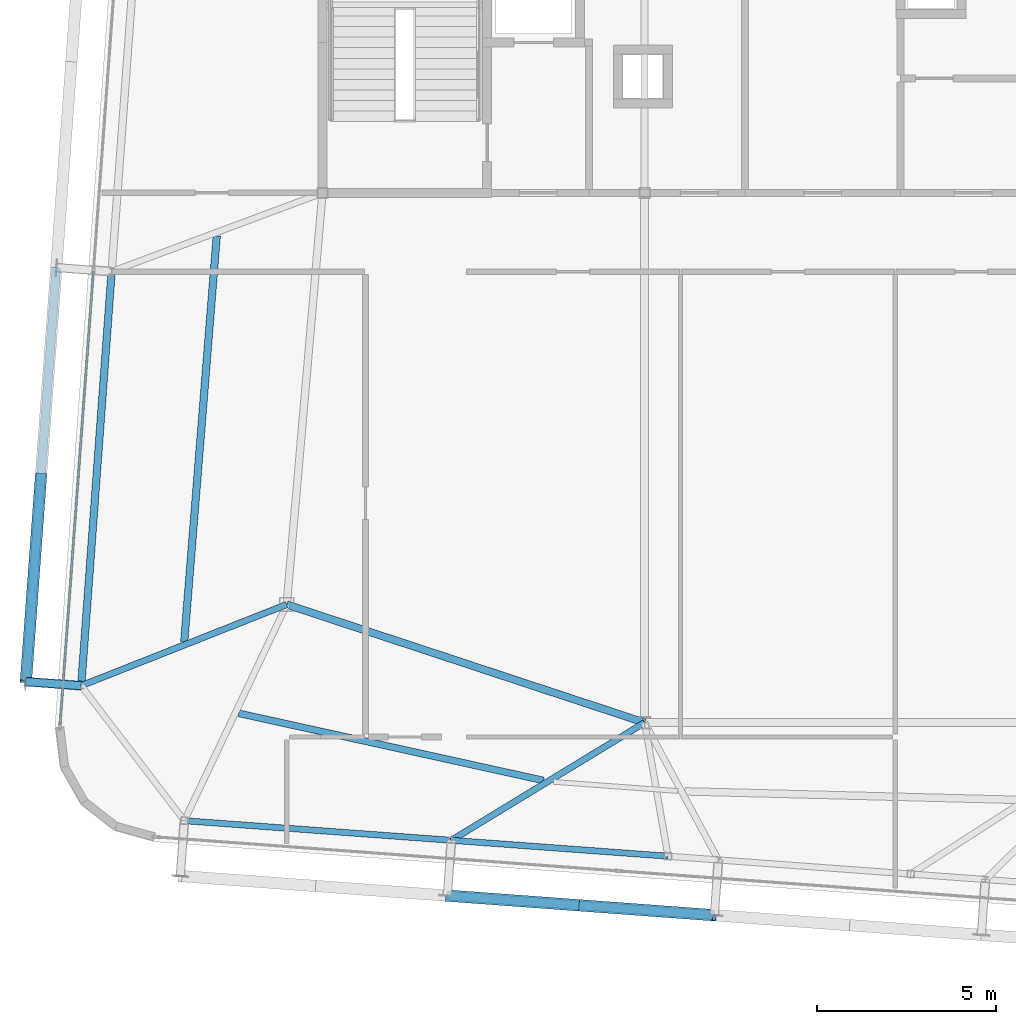
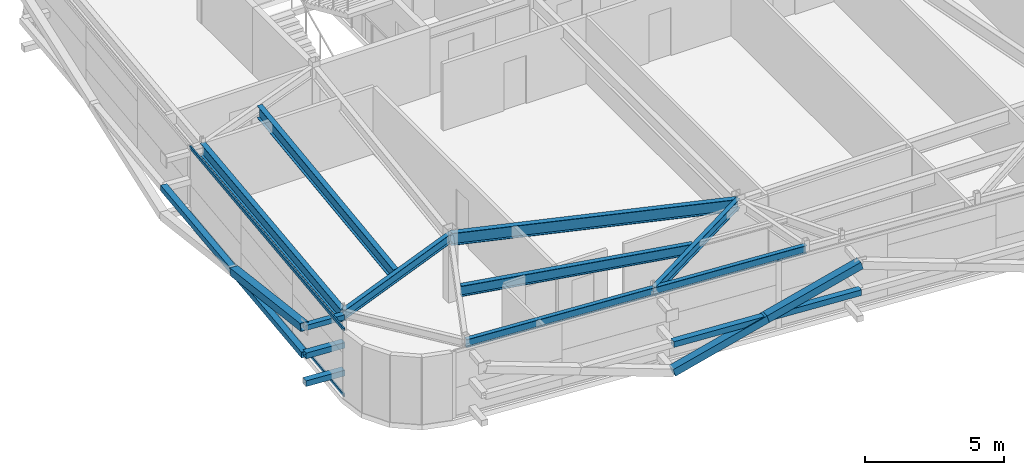
# One storey, part 10 of 34: 10 members, 8 beams, 1 element without a shape of its own.
"""IFC4 building model written with IfcOpenShell, lengths in metres."""

import ifcopenshell
import ifcopenshell.guid

model = None  # the IFC model being written
_history = None  # IfcOwnerHistory: only IFC2X3 demands one
_inside = {}  # id of a spatial element -> (the spatial element, [elements in it])
_under = {}  # id of a project, library or spatial element -> (it, [spatial elements below it])
_declared = {}  # id of a project -> (the project, [libraries it declares])
_typed = {}  # id of a type object -> (the type object, [elements of that type])
_made_of = {}  # id of a material, layer set ... -> (it, [elements and type objects made of it])


def new_model(schema):
    """Start an empty IFC model of exactly this schema.

    Asked for "IFC4X3", IfcOpenShell would pick the latest addendum, in which some entities
    have other attributes; the version numbers below select the first issue.
    IFC2X3 requires an IfcOwnerHistory on every rooted entity: one is made here for all.
    """
    global model, _history
    if schema == "IFC4X3":
        model = ifcopenshell.file(schema_version=(4, 3, 0, 0))
    else:
        model = ifcopenshell.file(schema=schema)
    _inside.clear()
    _under.clear()
    _declared.clear()
    _typed.clear()
    _made_of.clear()
    _history = None
    if model.schema == "IFC2X3":
        org = make("IfcOrganization", Name="unknown")
        user = make(
            "IfcPersonAndOrganization",
            ThePerson=make("IfcPerson", FamilyName="unknown"),
            TheOrganization=org,
        )
        app = make(
            "IfcApplication",
            ApplicationDeveloper=org,
            Version="unknown",
            ApplicationFullName="unknown",
            ApplicationIdentifier="unknown",
        )
        _history = make(
            "IfcOwnerHistory",
            OwningUser=user,
            OwningApplication=app,
            ChangeAction="ADDED",
            CreationDate=0,
        )
    return model


def make(cls, **values):
    """One entity of the class cls with the attributes given. An attribute that is None is left unset."""
    return model.create_entity(
        cls, **{name: value for name, value in values.items() if value is not None}
    )


def rooted(cls, **values):
    """An entity with a GlobalId (a new one), such as an element, a storey or a relation."""
    return make(cls, GlobalId=ifcopenshell.guid.new(), OwnerHistory=_history, **values)


def si_unit(unit_type, name, prefix=None):
    """IfcSIUnit, for example si_unit("LENGTHUNIT", "METRE", prefix="MILLI")."""
    return make("IfcSIUnit", UnitType=unit_type, Prefix=prefix, Name=name)


def assignment(units):
    """IfcUnitAssignment: the units of a project."""
    return None if units is None else make("IfcUnitAssignment", Units=units)


def point(xyz):
    """IfcCartesianPoint."""
    return None if xyz is None else make("IfcCartesianPoint", Coordinates=xyz)


def direction(xyz):
    """IfcDirection."""
    return None if xyz is None else make("IfcDirection", DirectionRatios=xyz)


def frame(location, z_axis=None, x_axis=None):
    """IfcAxis2Placement3D, a coordinate frame: its origin and axes. An axis left out is left unset."""
    return make(
        "IfcAxis2Placement3D",
        Location=point(location),
        Axis=direction(z_axis),
        RefDirection=direction(x_axis),
    )


def frame_2d(location, x_axis=None):
    """IfcAxis2Placement2D, a coordinate frame in the plane: its origin and x axis."""
    return make(
        "IfcAxis2Placement2D", Location=point(location), RefDirection=direction(x_axis)
    )


def origin():
    """The frame at (0, 0, 0) with its axes left unset."""
    return frame((0.0, 0.0, 0.0))


def origin_2d():
    """The frame at (0, 0) in the plane with its x axis left unset."""
    return frame_2d((0.0, 0.0))


def place(relative_to, where):
    """IfcLocalPlacement: puts the frame where relative to a parent placement (None: the world)."""
    return make(
        "IfcLocalPlacement", PlacementRelTo=relative_to, RelativePlacement=where
    )


def context(
    kind, dimensions, precision=None, world=None, true_north=None, identifier=None
):
    """IfcGeometricRepresentationContext, for example the 3D "Model" context."""
    return make(
        "IfcGeometricRepresentationContext",
        ContextIdentifier=identifier,
        ContextType=kind,
        CoordinateSpaceDimension=dimensions,
        Precision=precision,
        WorldCoordinateSystem=world,
        TrueNorth=true_north,
    )


def subcontext(parent, identifier, kind, view, scale=None):
    """IfcGeometricRepresentationSubContext, for example "Body" below "Model"."""
    return make(
        "IfcGeometricRepresentationSubContext",
        ContextIdentifier=identifier,
        ContextType=kind,
        ParentContext=parent,
        TargetScale=scale,
        TargetView=view,
    )


def project(units=None, contexts=None):
    """IfcProject with its units and contexts."""
    return rooted(
        "IfcProject",
        Name="project",
        RepresentationContexts=contexts,
        UnitsInContext=assignment(units),
    )


def spatial(cls, under=None, at=None, **own):
    """A site, building, storey or space (cls), placed at a placement, below another one or the project."""
    s = rooted(cls, ObjectPlacement=at, **own)
    if under is not None:
        _under.setdefault(under.id(), (under, []))[1].append(s)
    return s


def profile(cls, at=None, kind="AREA", **sizes):
    """A parametric profile (cls). Its sizes go by their IFC names, for example OverallWidth=200.0."""
    return make(cls, ProfileType=kind, Position=at, **sizes)


def hollow_rectangle(**sizes):
    """IfcRectangleHollowProfileDef."""
    return profile("IfcRectangleHollowProfileDef", **sizes)


def i_section(**sizes):
    """IfcIShapeProfileDef."""
    return profile("IfcIShapeProfileDef", **sizes)


def extrude(swept, where, along, depth):
    """IfcExtrudedAreaSolid: the profile swept, set in the frame where, extruded along a direction by depth."""
    return make(
        "IfcExtrudedAreaSolid",
        SweptArea=swept,
        Position=where,
        ExtrudedDirection=direction(along),
        Depth=depth,
    )


def shape(context_of_items, identifier, shape_type, items):
    """IfcShapeRepresentation: the items that make up one representation, for example the "Body"."""
    return make(
        "IfcShapeRepresentation",
        ContextOfItems=context_of_items,
        RepresentationIdentifier=identifier,
        RepresentationType=shape_type,
        Items=items,
    )


def source(mapping_origin, context_of_items, identifier, shape_type, items):
    """IfcRepresentationMap: a shape defined once, which mapped items show again and again."""
    return make(
        "IfcRepresentationMap",
        MappingOrigin=mapping_origin,
        MappedRepresentation=shape(context_of_items, identifier, shape_type, items),
    )


def transform(
    local_origin,
    x_axis=None,
    y_axis=None,
    z_axis=None,
    scale=None,
    scale2=None,
    scale3=None,
    uniform=True,
):
    """IfcCartesianTransformationOperator3D, or its non-uniform kind. x_axis, y_axis, z_axis: its Axis1, 2, 3."""
    if uniform:
        return make(
            "IfcCartesianTransformationOperator3D",
            Axis1=direction(x_axis),
            Axis2=direction(y_axis),
            LocalOrigin=point(local_origin),
            Scale=scale,
            Axis3=direction(z_axis),
        )
    return make(
        "IfcCartesianTransformationOperator3DnonUniform",
        Axis1=direction(x_axis),
        Axis2=direction(y_axis),
        LocalOrigin=point(local_origin),
        Scale=scale,
        Axis3=direction(z_axis),
        Scale2=scale2,
        Scale3=scale3,
    )


def mapped(mapping_source, mapping_target):
    """IfcMappedItem: shows the shape of a source again, moved by a transform."""
    return make(
        "IfcMappedItem", MappingSource=mapping_source, MappingTarget=mapping_target
    )


def material(Name=None, Category=None):
    """IfcMaterial."""
    return make("IfcMaterial", Name=Name, Category=Category)


def layer(
    of_material, thickness, ventilated=None, Name=None, Category=None, Priority=None
):
    """IfcMaterialLayer: one layer of a wall or slab, of a material (None: an air gap)."""
    return make(
        "IfcMaterialLayer",
        Material=of_material,
        LayerThickness=thickness,
        IsVentilated=ventilated,
        Name=Name,
        Category=Category,
        Priority=Priority,
    )


def layer_set(layers, Name=None):
    """IfcMaterialLayerSet."""
    return make("IfcMaterialLayerSet", MaterialLayers=layers, LayerSetName=Name)


def material_profile(
    of_material, cross_section, Name=None, Category=None, Priority=None
):
    """IfcMaterialProfile: a cross section and its material."""
    return make(
        "IfcMaterialProfile",
        Name=Name,
        Material=of_material,
        Profile=cross_section,
        Priority=Priority,
        Category=Category,
    )


def profile_set(profiles, Name=None, composite=None):
    """IfcMaterialProfileSet."""
    return make(
        "IfcMaterialProfileSet",
        Name=Name,
        MaterialProfiles=profiles,
        CompositeProfile=composite,
    )


def made_of(thing, what):
    """Note that an element or type object is made of a material, layer set ...; save() writes the relation."""
    if what is not None:
        _made_of.setdefault(what.id(), (what, []))[1].append(thing)
    return thing


def type_object(cls, material=None, **own):
    """A type object (cls), such as IfcWallType, which elements share."""
    return made_of(rooted(cls, **own), material)


def element(
    cls,
    number,
    at=None,
    inside=None,
    cuts=None,
    type_object=None,
    material=None,
    context=None,
    identifier="Body",
    shape_type=None,
    held_by="IfcProductDefinitionShape",
    body=None,
    shapes=None,
    **own,
):
    """One element of the class cls, such as IfcWall. Its Tag is "e" and its number.

    at: its placement. inside: the storey or other place that contains it. cuts: it is an
    opening in that element (IfcRelVoidsElement). A single representation is given by context,
    identifier, shape_type and body (its items); several are given by shapes. held_by: the class
    of the entity that holds the representations. save() writes the other relations.
    """
    e = rooted(cls, Tag="e%d" % number, ObjectPlacement=at, **own)
    if body is not None:
        shapes = [shape(context, identifier, shape_type, body)]
    if shapes is not None:
        e.Representation = make(held_by, Representations=shapes)
    if inside is not None:
        _inside.setdefault(inside.id(), (inside, []))[1].append(e)
    if cuts is not None:
        rooted(
            "IfcRelVoidsElement", RelatingBuildingElement=cuts, RelatedOpeningElement=e
        )
    if type_object is not None:
        _typed.setdefault(type_object.id(), (type_object, []))[1].append(e)
    return made_of(e, material)


def aggregate(whole, parts):
    """IfcRelAggregates: a whole, such as a stair, and the parts it consists of."""
    return rooted("IfcRelAggregates", RelatingObject=whole, RelatedObjects=parts)


def save(model, path):
    """Write the relations noted so far, then the file.

    IfcRelAggregates (storeys below a building ...), IfcRelContainedInSpatialStructure (elements
    in a storey), IfcRelDefinesByType, IfcRelAssociatesMaterial and IfcRelDeclares: one each for
    every whole, place, type object, material and project.
    """
    for whole, parts in _under.values():
        aggregate(whole, parts)
    for where, things in _inside.values():
        rooted(
            "IfcRelContainedInSpatialStructure",
            RelatedElements=things,
            RelatingStructure=where,
        )
    for kind, things in _typed.values():
        rooted("IfcRelDefinesByType", RelatedObjects=things, RelatingType=kind)
    for what, things in _made_of.values():
        rooted("IfcRelAssociatesMaterial", RelatedObjects=things, RelatingMaterial=what)
    for by, libraries in _declared.values():
        rooted("IfcRelDeclares", RelatingContext=by, RelatedDefinitions=libraries)
    model.write(path)


model = new_model("IFC4")

# Units and contexts
model_context = context("Model", 3, precision=1e-05, world=origin(), true_north=direction((0.0, 1.0)))
body_context = subcontext(model_context, "Body", "Model", "MODEL_VIEW")
ifc_project = project(units=[si_unit("LENGTHUNIT", "METRE"), si_unit("AREAUNIT", "SQUARE_METRE"), si_unit("VOLUMEUNIT", "CUBIC_METRE"), si_unit("PLANEANGLEUNIT", "RADIAN"), si_unit("MASSUNIT", "GRAM", prefix="KILO")], contexts=[model_context])

# Site, building, storey
site_placement = place(None, origin())
site = spatial("IfcSite", under=ifc_project, at=site_placement, CompositionType="ELEMENT")
building_placement = place(site_placement, origin())
building = spatial("IfcBuilding", under=site, at=building_placement, Name="Taldren Reach Tower", CompositionType="ELEMENT")
storey_placement = place(building_placement, frame((0.0, 0.0, 239.75)))
storey = spatial("IfcBuildingStorey", under=building, at=storey_placement, Name="L73", CompositionType="ELEMENT", Elevation=239.75)

# Beams
ifc_material_1 = material(Name="Steel Gr 350 (350PLUS)", Category="steel")
ifc_material_profile_1 = material_profile(ifc_material_1, i_section(OverallWidth=0.208984375, OverallDepth=0.532958984375, WebThickness=0.01025390625, FlangeThickness=0.015625, at=origin_2d()), Name="530UB92.4")
ifc_profile_set_1 = profile_set([ifc_material_profile_1], Name="Steel Gr 350 (350PLUS)")
beam_type_1 = type_object("IfcBeamType", Name="BM-UB530A", PredefinedType="BEAM", material=ifc_profile_set_1)
shared_shape_1 = source(origin(), body_context, "Body", "SweptSolid", [
    extrude(i_section(OverallWidth=0.208984375, OverallDepth=0.532958984375, WebThickness=0.01025390625, FlangeThickness=0.015625, at=origin_2d()), origin(), (0.0, 0.0, 1.0), 10.530517578125),
])
beam_1_placement = place(storey_placement, frame((18.0, 12.5, 2.66357421875), z_axis=(0.949627269203, -0.313381635689, 0.0), x_axis=(0.313381635689, 0.949627269203, 0.0)))
element("IfcBeam", 1, at=beam_1_placement, inside=storey, type_object=beam_type_1, Name="Core-spine girder L73-SP10", PredefinedType="BEAM", context=body_context, shape_type="MappedRepresentation", body=[
    mapped(shared_shape_1, transform((0.0, 0.0, 0.0), scale=1.0)),
])
ifc_material_profile_2 = material_profile(ifc_material_1, i_section(OverallWidth=0.172119140625, OverallDepth=0.35888671875, WebThickness=0.008056640625, FlangeThickness=0.012939453125, at=origin_2d()), Name="360UB56.7")
ifc_profile_set_2 = profile_set([ifc_material_profile_2], Name="Steel Gr 350 (350PLUS)")
beam_type_2 = type_object("IfcBeamType", Name="SP-UB360", PredefinedType="SPANDREL", material=ifc_profile_set_2)
shared_shape_2 = source(origin(), body_context, "Body", "SweptSolid", [
    extrude(i_section(OverallWidth=0.172119140625, OverallDepth=0.35888671875, WebThickness=0.008056640625, FlangeThickness=0.012939453125, at=origin_2d()), origin(), (0.0, 0.0, 1.0), 7.47998046875),
])
beam_2_placement = place(storey_placement, frame((15.140625, 6.460205078125, 2.75048828125), z_axis=(0.997314220642, -0.07324169103, 0.0), x_axis=(0.07324169103, 0.997314220642, 0.0)))
element("IfcBeam", 2, at=beam_2_placement, inside=storey, type_object=beam_type_2, Name="Perimeter spandrel B5 S1-S2 L73", PredefinedType="SPANDREL", context=body_context, shape_type="MappedRepresentation", body=[
    mapped(shared_shape_2, transform((0.0, 0.0, 0.0), scale=1.0)),
])
shared_shape_3 = source(origin(), body_context, "Body", "SweptSolid", [
    extrude(i_section(OverallWidth=0.172119140625, OverallDepth=0.35888671875, WebThickness=0.008056640625, FlangeThickness=0.012939453125, at=origin_2d()), origin(), (0.0, 0.0, 1.0), 6.070068359375),
])
beam_3_placement = place(storey_placement, frame((22.6005859375, 5.912353515625, 2.75048828125), z_axis=(0.997314196413, -0.073242020958, 0.0), x_axis=(0.073242020958, 0.997314196413, 0.0)))
element("IfcBeam", 3, at=beam_3_placement, inside=storey, type_object=beam_type_2, Name="Perimeter spandrel B5 S2-PJ1 L73", PredefinedType="SPANDREL", context=body_context, shape_type="MappedRepresentation", body=[
    mapped(shared_shape_3, transform((0.0, 0.0, 0.0), scale=1.0)),
])
ifc_material_profile_3 = material_profile(ifc_material_1, i_section(OverallWidth=0.208984375, OverallDepth=0.528076171875, WebThickness=0.009521484375, FlangeThickness=0.01318359375, at=origin_2d()), Name="530UB82.0")
ifc_profile_set_3 = profile_set([ifc_material_profile_3], Name="Steel Gr 350 (350PLUS)")
beam_type_3 = type_object("IfcBeamType", Name="SP-UB530B", PredefinedType="SPANDREL", material=ifc_profile_set_3)
shared_shape_4 = source(origin(), body_context, "Body", "SweptSolid", [
    extrude(i_section(OverallWidth=0.208984375, OverallDepth=0.528076171875, WebThickness=0.009521484375, FlangeThickness=0.01318359375, at=origin_2d()), origin(), (0.0, 0.0, 1.0), 11.60009765625),
])
beam_4_placement = place(storey_placement, frame((13.108642578125, 21.80029296875, 2.666015625), z_axis=(-0.073242167855, -0.997314185625, 0.0), x_axis=(0.997314185625, -0.073242167855, 0.0)))
element("IfcBeam", 4, at=beam_4_placement, inside=storey, type_object=beam_type_3, Name="Perimeter spandrel B5 W2-W1 L73", PredefinedType="SPANDREL", context=body_context, shape_type="MappedRepresentation", body=[
    mapped(shared_shape_4, transform((0.0, 0.0, 0.0), scale=1.0)),
])
ifc_material_profile_4 = material_profile(ifc_material_1, i_section(OverallWidth=0.177978515625, OverallDepth=0.406005859375, WebThickness=0.0078125, FlangeThickness=0.0126953125, at=origin_2d()), Name="410UB59.7")
ifc_profile_set_4 = profile_set([ifc_material_profile_4], Name="Steel Gr 350 (350PLUS)")
beam_type_4 = type_object("IfcBeamType", Name="BM-UB410", PredefinedType="BEAM", material=ifc_profile_set_4)
shared_shape_5 = source(origin(), body_context, "Body", "SweptSolid", [
    extrude(i_section(OverallWidth=0.177978515625, OverallDepth=0.406005859375, WebThickness=0.0078125, FlangeThickness=0.0126953125, at=origin_2d()), origin(), (0.0, 0.0, 1.0), 6.321533203125),
])
beam_5_placement = place(storey_placement, frame((28.0, 9.199951171875, 2.72705078125), z_axis=(-0.854128445192, -0.520062110823, 0.0), x_axis=(0.520062110823, -0.854128445192, 0.0)))
element("IfcBeam", 5, at=beam_5_placement, inside=storey, type_object=beam_type_4, Name="Primary floor girder B5-S2 L73", PredefinedType="BEAM", context=body_context, shape_type="MappedRepresentation", body=[
    mapped(shared_shape_5, transform((0.0, 0.0, 0.0), scale=1.0)),
])
shared_shape_6 = source(origin(), body_context, "Body", "SweptSolid", [
    extrude(i_section(OverallWidth=0.177978515625, OverallDepth=0.406005859375, WebThickness=0.0078125, FlangeThickness=0.0126953125, at=origin_2d()), origin(), (0.0, 0.0, 1.0), 6.1728515625),
])
beam_6_placement = place(storey_placement, frame((18.0, 12.5, 2.72705078125), z_axis=(-0.930023287794, -0.367500590695, 0.0), x_axis=(0.367500590695, -0.930023287794, 0.0)))
element("IfcBeam", 6, at=beam_6_placement, inside=storey, type_object=beam_type_4, Name="Primary floor girder B5-W1 L73", PredefinedType="BEAM", context=body_context, shape_type="MappedRepresentation", body=[
    mapped(shared_shape_6, transform((0.0, 0.0, 0.0), scale=1.0)),
])
ifc_material_profile_5 = material_profile(ifc_material_1, i_section(OverallWidth=0.19091796875, OverallDepth=0.4599609375, WebThickness=0.010009765625, FlangeThickness=0.01611328125, at=origin_2d()), Name="460UB82.1")
ifc_profile_set_5 = profile_set([ifc_material_profile_5], Name="Steel Gr 350 (350PLUS)")
beam_type_5 = type_object("IfcBeamType", Name="BM-UB460A", PredefinedType="BEAM", material=ifc_profile_set_5)
shared_shape_7 = source(origin(), body_context, "Body", "SweptSolid", [
    extrude(i_section(OverallWidth=0.19091796875, OverallDepth=0.4599609375, WebThickness=0.010009765625, FlangeThickness=0.01611328125, at=origin_2d()), origin(), (0.0, 0.0, 1.0), 8.719482421875),
])
beam_7_placement = place(storey_placement, frame((16.659423828125, 9.46044921875, 2.699951171875), z_axis=(0.976568964704, -0.2152046867, 0.0), x_axis=(0.2152046867, 0.976568964704, 0.0)))
element("IfcBeam", 7, at=beam_7_placement, inside=storey, type_object=beam_type_5, Name="Secondary floor beam B5 J1 L73", PredefinedType="BEAM", context=body_context, shape_type="MappedRepresentation", body=[
    mapped(shared_shape_7, transform((0.0, 0.0, 0.0), scale=1.0)),
])
shared_shape_8 = source(origin(), body_context, "Body", "SweptSolid", [
    extrude(i_section(OverallWidth=0.208984375, OverallDepth=0.532958984375, WebThickness=0.01025390625, FlangeThickness=0.015625, at=origin_2d()), origin(), (0.0, 0.0, 1.0), 11.3740234375),
])
beam_8_placement = place(storey_placement, frame((15.137451171875, 11.464599609375, 2.66357421875), z_axis=(0.079913287803, 0.996801819036, 0.0), x_axis=(-0.996801819036, 0.079913287803, 0.0)))
element("IfcBeam", 8, at=beam_8_placement, inside=storey, type_object=beam_type_1, Name="Secondary floor beam B5 J6 L73", PredefinedType="BEAM", context=body_context, shape_type="MappedRepresentation", body=[
    mapped(shared_shape_8, transform((0.0, 0.0, 0.0), scale=1.0)),
])

# Members
ifc_material_2 = material(Name="Steel Gr 450 (C450L0)", Category="steel")
ifc_material_profile_6 = material_profile(ifc_material_2, hollow_rectangle(XDim=0.219970703125, YDim=0.219970703125, WallThickness=0.00830078125, at=origin_2d()), Name="220x220x8.2SHS")
ifc_profile_set_6 = profile_set([ifc_material_profile_6], Name="Steel Gr 450 (C450L0)")
member_type_1 = type_object("IfcMemberType", Name="MB-TIE219", PredefinedType="STRUT", material=ifc_profile_set_6)
shared_shape_9 = source(origin(), body_context, "Body", "SweptSolid", [
    extrude(hollow_rectangle(XDim=0.219970703125, YDim=0.219970703125, WallThickness=0.00830078125, at=origin_2d()), origin(), (0.0, 0.0, 1.0), 1.5458984375),
])
member_1_placement = place(storey_placement, frame((12.255126953125, 10.231689453125, 2.64990234375), z_axis=(-0.997311530447, 0.073278313559, 0.0), x_axis=(-0.073278313559, -0.997311530447, 0.0)))
element("IfcMember", 9, at=member_1_placement, inside=storey, type_object=member_type_1, Name="Exoskeleton diaphragm tie strut B5-W1 L73", PredefinedType="STRUT", context=body_context, shape_type="MappedRepresentation", body=[
    mapped(shared_shape_9, transform((0.0, 0.0, 0.0), scale=1.0)),
])
ifc_material_profile_7 = material_profile(ifc_material_2, hollow_rectangle(XDim=0.324951171875, YDim=0.324951171875, WallThickness=0.0126953125, at=origin_2d()), Name="325x325x12.7SHS")
ifc_profile_set_7 = profile_set([ifc_material_profile_7], Name="Steel Gr 450 (C450L0)")
member_type_2 = type_object("IfcMemberType", Name="MB-BR324", PredefinedType="BRACE", material=ifc_profile_set_7)
shared_shape_10 = source(origin(), body_context, "Body", "SweptSolid", [
    extrude(hollow_rectangle(XDim=0.324951171875, YDim=0.324951171875, WallThickness=0.0126953125, at=origin_2d()), origin(), (0.0, 0.0, 1.0), 3.932373046875),
])
for number, where, z_axis, x_axis, name in (
    (10, (22.487060546875, 4.36669921875, 0.219970703125), (0.948511132845, -0.069657644394, 0.308989390507), (0.07324169103, 0.997314220642, 0.0), "Exoskeleton Diagrid Brace B5-S2 L73"),
    (11, (26.217041015625, 4.0927734375, 1.43505859375), (0.948529326954, -0.06965898055, 0.308933232813), (0.07324169103, 0.997314220642, 0.0), "Exoskeleton Diagrid Brace B5-S2 L73"),
):
    element("IfcMember", number, at=place(storey_placement, frame(where, z_axis=z_axis, x_axis=x_axis)), inside=storey, type_object=member_type_2, Name=name, PredefinedType="BRACE", context=body_context, shape_type="MappedRepresentation", body=[
        mapped(shared_shape_10, transform((0.0, 0.0, 0.0), scale=1.0)),
    ])
ifc_material_3 = material(Name="Steel Gr 350 (C350L0)", Category="steel")
ifc_material_profile_8 = material_profile(ifc_material_3, hollow_rectangle(XDim=0.25, YDim=0.25, WallThickness=0.010009765625, at=origin_2d()), Name="250x250x10.0SHS")
ifc_profile_set_8 = profile_set([ifc_material_profile_8], Name="Steel Gr 350 (C350L0)")
member_type_3 = type_object("IfcMemberType", Name="MB-POST250", PredefinedType="POST", material=ifc_profile_set_8)
shared_shape_11 = source(origin(), body_context, "Body", "SweptSolid", [
    extrude(hollow_rectangle(XDim=0.25, YDim=0.25, WallThickness=0.010009765625, at=origin_2d()), origin(), (0.0, 0.0, 1.0), 7.47998046875),
])
member_2_placement = place(storey_placement, frame((22.487060546875, 4.36669921875, 1.43505859375), z_axis=(0.997314220642, -0.07324169103, 0.0), x_axis=(0.07324169103, 0.997314220642, 0.0)))
element("IfcMember", 12, at=member_2_placement, inside=storey, type_object=member_type_3, Name="Exoskeleton mid-height ring chord B5-S2 L73", PredefinedType="POST", context=body_context, shape_type="MappedRepresentation", body=[
    mapped(shared_shape_11, transform((0.0, 0.0, 0.0), scale=1.0)),
])
shared_shape_12 = source(origin(), body_context, "Body", "SweptSolid", [
    extrude(hollow_rectangle(XDim=0.324951171875, YDim=0.324951171875, WallThickness=0.0126953125, at=origin_2d()), origin(), (0.0, 0.0, 1.0), 5.92578125),
])
member_3_placement = place(storey_placement, frame((11.137939453125, 16.12939453125, 1.43505859375), z_axis=(-0.071645553297, -0.976134614303, 0.205007632667), x_axis=(0.997317259472, -0.073200300267, 0.0)))
element("IfcMember", 13, at=member_3_placement, inside=storey, type_object=member_type_2, Name="Exoskeleton Diagrid Brace B5-W1 L73", PredefinedType="BRACE", context=body_context, shape_type="MappedRepresentation", body=[
    mapped(shared_shape_12, transform((0.0, 0.0, 0.0), scale=1.0)),
])
shared_shape_13 = source(origin(), body_context, "Body", "SweptSolid", [
    extrude(hollow_rectangle(XDim=0.25, YDim=0.25, WallThickness=0.010009765625, at=origin_2d()), origin(), (0.0, 0.0, 1.0), 11.60009765625),
])
member_4_placement = place(storey_placement, frame((10.71337890625, 10.344970703125, 1.43505859375), z_axis=(0.073221234109, 0.997315722766, 0.0), x_axis=(-0.997315722766, 0.073221234109, 0.0)))
element("IfcMember", 14, at=member_4_placement, inside=storey, type_object=member_type_3, Name="Exoskeleton mid-height ring chord B5-W1 L73", PredefinedType="POST", context=body_context, shape_type="MappedRepresentation", body=[
    mapped(shared_shape_13, transform((0.0, 0.0, 0.0), scale=1.0)),
])
shared_shape_14 = source(origin(), body_context, "Body", "SweptSolid", [
    extrude(hollow_rectangle(XDim=0.25, YDim=0.25, WallThickness=0.010009765625, at=origin_2d()), origin(), (0.0, 0.0, 1.0), 1.5458984375),
])
for number, where, z_axis, x_axis, name in (
    (15, (12.255126953125, 10.231689453125, 0.219970703125), (-0.997311530447, 0.073278313559, 0.0), (-0.073278313559, -0.997311530447, 0.0), "Exoskeleton base diaphragm tie strut B5-W1 L73"),
    (16, (12.255126953125, 10.231689453125, 1.43505859375), (-0.997311530447, 0.073278313559, 0.0), (-0.073278313559, -0.997311530447, 0.0), "Exoskeleton mid-tier diaphragm tie B5-W1 L73"),
):
    element("IfcMember", number, at=place(storey_placement, frame(where, z_axis=z_axis, x_axis=x_axis)), inside=storey, type_object=member_type_3, Name=name, PredefinedType="POST", context=body_context, shape_type="MappedRepresentation", body=[
        mapped(shared_shape_14, transform((0.0, 0.0, 0.0), scale=1.0)),
    ])

# Curtain wall, members
ifc_material_4 = material(Name="Aluminium and Low-E Glass Unitised System", Category="aluminium")
ifc_layer = layer(ifc_material_4, 0.159912109375)
ifc_layer_set = layer_set([ifc_layer], Name="Aluminium and Low-E Glass Unitised System")
curtain_wall_type = type_object("IfcCurtainWallType", Name="CW-SYS-6", PredefinedType="NOTDEFINED", material=ifc_layer_set)
curtain_wall_placement = place(storey_placement, origin())
curtain_wall = element("IfcCurtainWall", 17, at=curtain_wall_placement, inside=storey, type_object=curtain_wall_type, Name="Unitised curtain wall CW-L73-W", PredefinedType="NOTDEFINED")
ifc_material_5 = material(Name="Anodised Aluminium 6063-T6", Category="aluminium")
ifc_material_profile_9 = material_profile(ifc_material_5, hollow_rectangle(XDim=0.06005859375, YDim=0.135009765625, WallThickness=0.00341796875, at=origin_2d()), Name="ALU-135x60x3.5RHS")
ifc_profile_set_9 = profile_set([ifc_material_profile_9], Name="Anodised Aluminium 6063-T6")
member_type_4 = type_object("IfcMemberType", Name="CW-TRN-150", PredefinedType="USERDEFINED", material=ifc_profile_set_9)
shared_shape_15 = source(origin(), body_context, "Body", "SweptSolid", [
    extrude(hollow_rectangle(XDim=0.06005859375, YDim=0.135009765625, WallThickness=0.00341796875, at=origin_2d()), origin(), (0.0, 0.0, 1.0), 12.687744140625),
])
member_5_placement = place(storey_placement, frame((12.597412109375, 21.80029296875, 0.030029296875), z_axis=(-0.073236592425, -0.997314595065, 0.0), x_axis=(0.997314595065, -0.073236592425, 0.0)))
member_5 = element("IfcMember", 18, at=member_5_placement, type_object=member_type_4, Name="CW-6 transom 2.1", ObjectType="TRANSOM", PredefinedType="USERDEFINED", context=body_context, shape_type="MappedRepresentation", body=[
    mapped(shared_shape_15, transform((0.0, 0.0, 0.0), scale=1.0)),
])
member_6_placement = place(storey_placement, frame((12.597412109375, 21.80029296875, 2.89990234375), z_axis=(-0.073236592425, -0.997314595065, 0.0), x_axis=(0.997314595065, -0.073236592425, 0.0)))
member_6 = element("IfcMember", 19, at=member_6_placement, type_object=member_type_4, Name="CW-6 transom 2.2", ObjectType="TRANSOM", PredefinedType="USERDEFINED", context=body_context, shape_type="MappedRepresentation", body=[
    mapped(shared_shape_15, transform((0.0, 0.0, 0.0), scale=1.0)),
])
aggregate(curtain_wall, [member_5, member_6])

save(model, "model.ifc")
